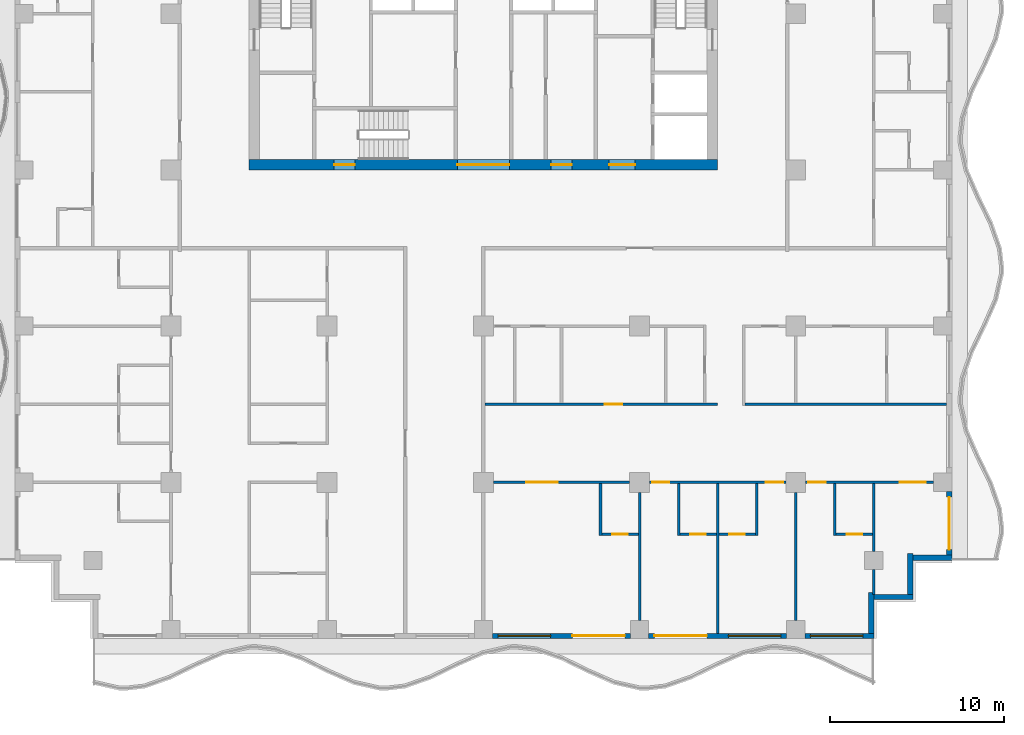
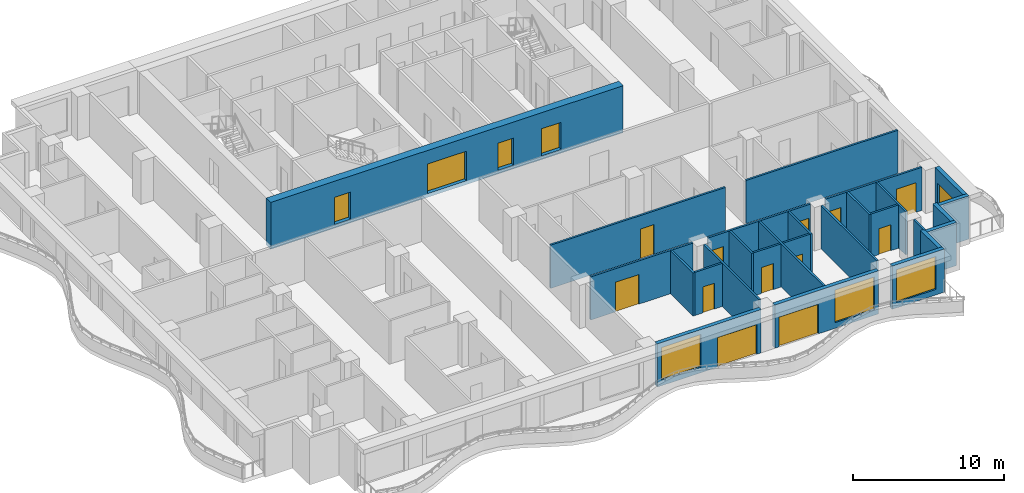
# One storey, part 3 of 11: 27 walls, 17 doors, 3 windows, 20 openings.
"""IFC4 building model written with IfcOpenShell, lengths in metres."""

from ifc_helpers import new_model, si_unit, direction, frame, frame_2d, origin, place, context, subcontext, project, spatial, rectangle, extrude, material, layer, layer_set, type_object, element, fill, save


model = new_model("IFC4")

# Units and contexts
model_context = context("Model", 3, precision=1e-05, world=origin(), true_north=direction((0.0, 1.0)))
body_context = subcontext(model_context, "Body", "Model", "MODEL_VIEW")
ifc_project = project(units=[si_unit("LENGTHUNIT", "METRE"), si_unit("AREAUNIT", "SQUARE_METRE"), si_unit("VOLUMEUNIT", "CUBIC_METRE"), si_unit("PLANEANGLEUNIT", "RADIAN"), si_unit("MASSUNIT", "GRAM", prefix="KILO")], contexts=[model_context])

# Site, building, storey
site_placement = place(None, origin())
site = spatial("IfcSite", under=ifc_project, at=site_placement, CompositionType="ELEMENT")
building_placement = place(site_placement, origin())
building = spatial("IfcBuilding", under=site, at=building_placement, Name="Orbiselva Terraces", CompositionType="ELEMENT")
storey_placement = place(building_placement, frame((0.0, 0.0, 184.4)))
storey = spatial("IfcBuildingStorey", under=building, at=storey_placement, Name="L46", CompositionType="ELEMENT", Elevation=184.4)

# Wall, openings, doors
ifc_material_1 = material(Name="Concrete C80/95", Category="concrete")
ifc_layer_1 = layer(ifc_material_1, 0.6)
ifc_layer_set_1 = layer_set([ifc_layer_1], Name="Concrete C80/95")
wall_type_1 = type_object("IfcWallType", Name="CORE WALL 600", PredefinedType="SHEAR", material=ifc_layer_set_1)
wall_1_placement = place(storey_placement, frame((-13.5, 4.8, -0.3), z_axis=(0.0, 0.0, 1.0), x_axis=(1.0, 0.0, 0.0)))
wall_1 = element("IfcWall", 1, at=wall_1_placement, inside=storey, type_object=wall_type_1, Name="Core wall L46 south", PredefinedType="SHEAR", context=body_context, shape_type="SweptSolid", body=[
    extrude(rectangle(XDim=27.0, YDim=0.6, at=frame_2d((13.5, 0.0))), origin(), (0.0, 0.0, 1.0), 3.8),
])
opening_1_placement = place(wall_1_placement, frame((12.0, 0.0, 0.3)))
opening_1 = element("IfcOpeningElement", 2, at=opening_1_placement, cuts=wall_1, Name="Opening DL3000", PredefinedType="OPENING", context=body_context, shape_type="SweptSolid", body=[
    extrude(rectangle(XDim=3.0, YDim=2.4, at=frame_2d((1.5, 1.2))), frame((0.0, 0.31, 0.0), z_axis=(0.0, -1.0, 0.0), x_axis=(1.0, 0.0, 0.0)), (0.0, 0.0, 1.0), 0.62),
])
opening_2_placement = place(wall_1_placement, frame((4.9, 0.0, 0.3)))
opening_2 = element("IfcOpeningElement", 3, at=opening_2_placement, cuts=wall_1, Name="Opening DS1200", PredefinedType="OPENING", context=body_context, shape_type="SweptSolid", body=[
    extrude(rectangle(XDim=1.2, YDim=2.2, at=frame_2d((0.6, 1.1))), frame((0.0, 0.31, 0.0), z_axis=(0.0, -1.0, 0.0), x_axis=(1.0, 0.0, 0.0)), (0.0, 0.0, 1.0), 0.62),
])
opening_3_placement = place(wall_1_placement, frame((20.75, 0.0, 0.3)))
opening_3 = element("IfcOpeningElement", 4, at=opening_3_placement, cuts=wall_1, Name="Opening DF1500", PredefinedType="OPENING", context=body_context, shape_type="SweptSolid", body=[
    extrude(rectangle(XDim=1.5, YDim=2.2, at=frame_2d((0.75, 1.1))), frame((0.0, 0.31, 0.0), z_axis=(0.0, -1.0, 0.0), x_axis=(1.0, 0.0, 0.0)), (0.0, 0.0, 1.0), 0.62),
])
opening_4_placement = place(wall_1_placement, frame((17.4, 0.0, 0.3)))
opening_4 = element("IfcOpeningElement", 5, at=opening_4_placement, cuts=wall_1, Name="Opening DV1200", PredefinedType="OPENING", context=body_context, shape_type="SweptSolid", body=[
    extrude(rectangle(XDim=1.2, YDim=2.2, at=frame_2d((0.6, 1.1))), frame((0.0, 0.31, 0.0), z_axis=(0.0, -1.0, 0.0), x_axis=(1.0, 0.0, 0.0)), (0.0, 0.0, 1.0), 0.62),
])
ifc_material_2 = material(Name="Steel fire door", Category="steel")
door_type_1 = type_object("IfcDoorType", Name="FFL DOOR 1500", OperationType="DOUBLE_DOOR_SINGLE_SWING", PredefinedType="DOOR", material=ifc_material_2)
door_1_placement = place(opening_3_placement, frame((1.5, 0.0, 0.0), z_axis=(0.0, 0.0, 1.0), x_axis=(-1.0, 0.0, 0.0)))
door_1 = element("IfcDoor", 6, at=door_1_placement, inside=storey, type_object=door_type_1, Name="L46 FIRE-FIGHTING LOBBY door", OperationType="DOUBLE_DOOR_SINGLE_SWING", OverallHeight=2.2, OverallWidth=1.5, PredefinedType="DOOR", context=body_context, shape_type="SweptSolid", body=[
    extrude(rectangle(XDim=1.5, YDim=2.2, at=frame_2d((0.75, 1.1))), frame((0.0, 0.025, 0.0), z_axis=(0.0, -1.0, 0.0), x_axis=(1.0, 0.0, 0.0)), (0.0, 0.0, 1.0), 0.05),
])
fill(opening_3, door_1)
door_type_2 = type_object("IfcDoorType", Name="LOBBY DOOR 3000", OperationType="DOUBLE_DOOR_SINGLE_SWING", PredefinedType="DOOR", material=ifc_material_2)
door_2_placement = place(opening_1_placement, frame((3.0, 0.0, 0.0), z_axis=(0.0, 0.0, 1.0), x_axis=(-1.0, 0.0, 0.0)))
door_2 = element("IfcDoor", 7, at=door_2_placement, inside=storey, type_object=door_type_2, Name="L46 LIFT LOBBY door", OperationType="DOUBLE_DOOR_SINGLE_SWING", OverallHeight=2.4, OverallWidth=3.0, PredefinedType="DOOR", context=body_context, shape_type="SweptSolid", body=[
    extrude(rectangle(XDim=3.0, YDim=2.4, at=frame_2d((1.5, 1.2))), frame((0.0, 0.025, 0.0), z_axis=(0.0, -1.0, 0.0), x_axis=(1.0, 0.0, 0.0)), (0.0, 0.0, 1.0), 0.05),
])
fill(opening_1, door_2)
door_type_3 = type_object("IfcDoorType", Name="SERVICE DOOR 1200", OperationType="NOTDEFINED", PredefinedType="DOOR", material=ifc_material_2)
door_3_placement = place(opening_4_placement, frame((1.2, 0.0, 0.0), z_axis=(0.0, 0.0, 1.0), x_axis=(-1.0, 0.0, 0.0)))
door_3 = element("IfcDoor", 8, at=door_3_placement, inside=storey, type_object=door_type_3, Name="L46 SERVICE ROOM door", OperationType="SINGLE_SWING_RIGHT", OverallHeight=2.2, OverallWidth=1.2, PredefinedType="DOOR", context=body_context, shape_type="SweptSolid", body=[
    extrude(rectangle(XDim=1.2, YDim=2.2, at=frame_2d((0.6, 1.1))), frame((0.0, 0.025, 0.0), z_axis=(0.0, -1.0, 0.0), x_axis=(1.0, 0.0, 0.0)), (0.0, 0.0, 1.0), 0.05),
])
fill(opening_4, door_3)
door_type_4 = type_object("IfcDoorType", Name="STAIR DOOR 1200", OperationType="NOTDEFINED", PredefinedType="DOOR", material=ifc_material_2)
door_4_placement = place(opening_2_placement, frame((1.2, 0.0, 0.0), z_axis=(0.0, 0.0, 1.0), x_axis=(-1.0, 0.0, 0.0)))
door_4 = element("IfcDoor", 9, at=door_4_placement, inside=storey, type_object=door_type_4, Name="L46 EXIT STAIR S3 door", OperationType="SINGLE_SWING_LEFT", OverallHeight=2.2, OverallWidth=1.2, PredefinedType="DOOR", context=body_context, shape_type="SweptSolid", body=[
    extrude(rectangle(XDim=1.2, YDim=2.2, at=frame_2d((0.6, 1.1))), frame((0.0, 0.025, 0.0), z_axis=(0.0, -1.0, 0.0), x_axis=(1.0, 0.0, 0.0)), (0.0, 0.0, 1.0), 0.05),
])
fill(opening_2, door_4)

# Wall, openings, door, window
ifc_material_3 = material(Name="Terracotta cladding on masonry backing", Category="masonry")
ifc_layer_2 = layer(ifc_material_3, 0.3)
ifc_layer_set_2 = layer_set([ifc_layer_2], Name="Terracotta cladding on masonry backing")
wall_type_2 = type_object("IfcWallType", Name="ENV-WALL-TERRACOTTA-300", PredefinedType="SOLIDWALL", material=ifc_layer_set_2)
wall_2_placement = place(storey_placement, frame((8.475, -22.35, 0.0), z_axis=(0.0, 0.0, 1.0), x_axis=(-1.0, 0.0, 0.0)))
wall_2 = element("IfcWall", 10, at=wall_2_placement, inside=storey, type_object=wall_type_2, Name="Facade wall L46 S", PredefinedType="SOLIDWALL", context=body_context, shape_type="SweptSolid", body=[
    extrude(rectangle(XDim=7.95, YDim=0.3, at=frame_2d((3.975, 0.0))), origin(), (0.0, 0.0, 1.0), 3.5),
])
opening_5_placement = place(wall_2_placement, frame((4.6, 0.0, 0.45)))
opening_5 = element("IfcOpeningElement", 11, at=opening_5_placement, cuts=wall_2, Name="Opening WN14", PredefinedType="OPENING", context=body_context, shape_type="SweptSolid", body=[
    extrude(rectangle(XDim=3.025, YDim=2.65, at=frame_2d((1.5125, 1.325))), frame((0.0, 0.16, 0.0), z_axis=(0.0, -1.0, 0.0), x_axis=(1.0, 0.0, 0.0)), (0.0, 0.0, 1.0), 0.32),
])
opening_6_placement = place(wall_2_placement, frame((0.325, 0.0, 0.0)))
opening_6 = element("IfcOpeningElement", 12, at=opening_6_placement, cuts=wall_2, Name="Opening Z4-A-E03", PredefinedType="OPENING", context=body_context, shape_type="SweptSolid", body=[
    extrude(rectangle(XDim=3.025, YDim=2.4, at=frame_2d((1.5125, 1.2))), frame((0.0, 0.16, 0.0), z_axis=(0.0, -1.0, 0.0), x_axis=(1.0, 0.0, 0.0)), (0.0, 0.0, 1.0), 0.32),
])
ifc_material_4 = material(Name="Clear low-e glazing in aluminium frame", Category="aluminium")
door_type_5 = type_object("IfcDoorType", Name="BALCONY DOOR 3025 X 2400", OperationType="DOUBLE_DOOR_SLIDING", PredefinedType="DOOR", material=ifc_material_4)
door_5_placement = place(opening_6_placement, origin())
door_5 = element("IfcDoor", 13, at=door_5_placement, inside=storey, type_object=door_type_5, Name="Z4-A-E03", OperationType="SINGLE_SWING_LEFT", OverallHeight=2.4, OverallWidth=3.025, PredefinedType="DOOR", context=body_context, shape_type="SweptSolid", body=[
    extrude(rectangle(XDim=3.025, YDim=2.4, at=frame_2d((1.5125, 1.2))), frame((0.0, 0.025, 0.0), z_axis=(0.0, -1.0, 0.0), x_axis=(1.0, 0.0, 0.0)), (0.0, 0.0, 1.0), 0.05),
])
fill(opening_6, door_5)
window_type = type_object("IfcWindowType", Name="WINDOW 3025 X 2650 S450", PartitioningType="TRIPLE_PANEL_VERTICAL", PredefinedType="WINDOW", material=ifc_material_4)
window_1_placement = place(opening_5_placement, origin())
window_1 = element("IfcWindow", 14, at=window_1_placement, inside=storey, type_object=window_type, Name="Window L46 S", OverallHeight=2.65, OverallWidth=3.025, PartitioningType="SINGLE_PANEL", PredefinedType="WINDOW", context=body_context, shape_type="SweptSolid", body=[
    extrude(rectangle(XDim=3.025, YDim=2.65, at=frame_2d((1.5125, 1.325))), frame((0.0, 0.03, 0.0), z_axis=(0.0, -1.0, 0.0), x_axis=(1.0, 0.0, 0.0)), (0.0, 0.0, 1.0), 0.06),
])
fill(opening_5, window_1)

wall_3_placement = place(storey_placement, frame((17.475, -22.35, 0.0), z_axis=(0.0, 0.0, 1.0), x_axis=(-1.0, 0.0, 0.0)))
wall_3 = element("IfcWall", 15, at=wall_3_placement, inside=storey, type_object=wall_type_2, Name="Facade wall L46 S", PredefinedType="SOLIDWALL", context=body_context, shape_type="SweptSolid", body=[
    extrude(rectangle(XDim=7.95, YDim=0.3, at=frame_2d((3.975, 0.0))), origin(), (0.0, 0.0, 1.0), 3.5),
])
opening_7_placement = place(wall_3_placement, frame((4.6, 0.0, 0.0)))
opening_7 = element("IfcOpeningElement", 16, at=opening_7_placement, cuts=wall_3, Name="Opening Z4-A-E04", PredefinedType="OPENING", context=body_context, shape_type="SweptSolid", body=[
    extrude(rectangle(XDim=3.025, YDim=2.4, at=frame_2d((1.5125, 1.2))), frame((0.0, 0.16, 0.0), z_axis=(0.0, -1.0, 0.0), x_axis=(1.0, 0.0, 0.0)), (0.0, 0.0, 1.0), 0.32),
])
opening_8_placement = place(wall_3_placement, frame((0.325, 0.0, 0.45)))
opening_8 = element("IfcOpeningElement", 17, at=opening_8_placement, cuts=wall_3, Name="Opening WN14", PredefinedType="OPENING", context=body_context, shape_type="SweptSolid", body=[
    extrude(rectangle(XDim=3.025, YDim=2.65, at=frame_2d((1.5125, 1.325))), frame((0.0, 0.16, 0.0), z_axis=(0.0, -1.0, 0.0), x_axis=(1.0, 0.0, 0.0)), (0.0, 0.0, 1.0), 0.32),
])
door_6_placement = place(opening_7_placement, origin())
door_6 = element("IfcDoor", 18, at=door_6_placement, inside=storey, type_object=door_type_5, Name="Z4-A-E04", OperationType="SINGLE_SWING_LEFT", OverallHeight=2.4, OverallWidth=3.025, PredefinedType="DOOR", context=body_context, shape_type="SweptSolid", body=[
    extrude(rectangle(XDim=3.025, YDim=2.4, at=frame_2d((1.5125, 1.2))), frame((0.0, 0.025, 0.0), z_axis=(0.0, -1.0, 0.0), x_axis=(1.0, 0.0, 0.0)), (0.0, 0.0, 1.0), 0.05),
])
fill(opening_7, door_6)
window_2_placement = place(opening_8_placement, origin())
window_2 = element("IfcWindow", 19, at=window_2_placement, inside=storey, type_object=window_type, Name="Window L46 S", OverallHeight=2.65, OverallWidth=3.025, PartitioningType="SINGLE_PANEL", PredefinedType="WINDOW", context=body_context, shape_type="SweptSolid", body=[
    extrude(rectangle(XDim=3.025, YDim=2.65, at=frame_2d((1.5125, 1.325))), frame((0.0, 0.03, 0.0), z_axis=(0.0, -1.0, 0.0), x_axis=(1.0, 0.0, 0.0)), (0.0, 0.0, 1.0), 0.06),
])
fill(opening_8, window_2)

# Wall, opening, window
wall_4_placement = place(storey_placement, frame((22.5, -22.35, 0.0), z_axis=(0.0, 0.0, 1.0), x_axis=(-1.0, 0.0, 0.0)))
wall_4 = element("IfcWall", 20, at=wall_4_placement, inside=storey, type_object=wall_type_2, Name="Facade wall L46 S", PredefinedType="SOLIDWALL", context=body_context, shape_type="SweptSolid", body=[
    extrude(rectangle(XDim=3.975, YDim=0.3, at=frame_2d((1.9875, 0.0))), origin(), (0.0, 0.0, 1.0), 3.5),
])
opening_9_placement = place(wall_4_placement, frame((0.625, 0.0, 0.45)))
opening_9 = element("IfcOpeningElement", 21, at=opening_9_placement, cuts=wall_4, Name="Opening WN14", PredefinedType="OPENING", context=body_context, shape_type="SweptSolid", body=[
    extrude(rectangle(XDim=3.025, YDim=2.65, at=frame_2d((1.5125, 1.325))), frame((0.0, 0.16, 0.0), z_axis=(0.0, -1.0, 0.0), x_axis=(1.0, 0.0, 0.0)), (0.0, 0.0, 1.0), 0.32),
])
window_3_placement = place(opening_9_placement, origin())
window_3 = element("IfcWindow", 22, at=window_3_placement, inside=storey, type_object=window_type, Name="Window L46 S", OverallHeight=2.65, OverallWidth=3.025, PartitioningType="SINGLE_PANEL", PredefinedType="WINDOW", context=body_context, shape_type="SweptSolid", body=[
    extrude(rectangle(XDim=3.025, YDim=2.65, at=frame_2d((1.5125, 1.325))), frame((0.0, 0.03, 0.0), z_axis=(0.0, -1.0, 0.0), x_axis=(1.0, 0.0, 0.0)), (0.0, 0.0, 1.0), 0.06),
])
fill(opening_9, window_3)

# Walls
wall_5_placement = place(storey_placement, frame((22.35, -19.85, 0.0), z_axis=(0.0, 0.0, 1.0), x_axis=(0.0, -1.0, 0.0)))
element("IfcWall", 23, at=wall_5_placement, inside=storey, type_object=wall_type_2, Name="Facade wall L46 STEP", PredefinedType="SOLIDWALL", context=body_context, shape_type="SweptSolid", body=[
    extrude(rectangle(XDim=2.35, YDim=0.3, at=frame_2d((1.175, 0.0))), origin(), (0.0, 0.0, 1.0), 3.5),
])
wall_6_placement = place(storey_placement, frame((24.75, -20.1, 0.0), z_axis=(0.0, 0.0, 1.0), x_axis=(-1.0, 0.0, 0.0)))
element("IfcWall", 24, at=wall_6_placement, inside=storey, type_object=wall_type_2, Name="Facade wall L46 STEP", PredefinedType="SOLIDWALL", context=body_context, shape_type="SweptSolid", body=[
    extrude(rectangle(XDim=2.25, YDim=0.3, at=frame_2d((1.125, 0.0))), origin(), (0.0, 0.0, 1.0), 3.5),
])
wall_7_placement = place(storey_placement, frame((24.6, -17.6, 0.0), z_axis=(0.0, 0.0, 1.0), x_axis=(0.0, -1.0, 0.0)))
element("IfcWall", 25, at=wall_7_placement, inside=storey, type_object=wall_type_2, Name="Facade wall L46 STEP", PredefinedType="SOLIDWALL", context=body_context, shape_type="SweptSolid", body=[
    extrude(rectangle(XDim=2.35, YDim=0.3, at=frame_2d((1.175, 0.0))), origin(), (0.0, 0.0, 1.0), 3.5),
])
wall_8_placement = place(storey_placement, frame((27.0, -17.85, 0.0), z_axis=(0.0, 0.0, 1.0), x_axis=(-1.0, 0.0, 0.0)))
element("IfcWall", 26, at=wall_8_placement, inside=storey, type_object=wall_type_2, Name="Facade wall L46 STEP", PredefinedType="SOLIDWALL", context=body_context, shape_type="SweptSolid", body=[
    extrude(rectangle(XDim=2.25, YDim=0.3, at=frame_2d((1.125, 0.0))), origin(), (0.0, 0.0, 1.0), 3.5),
])

# Wall, opening, door
wall_9_placement = place(storey_placement, frame((26.85, -14.025, 0.0), z_axis=(0.0, 0.0, 1.0), x_axis=(0.0, -1.0, 0.0)))
wall_9 = element("IfcWall", 27, at=wall_9_placement, inside=storey, type_object=wall_type_2, Name="Facade wall L46 E", PredefinedType="SOLIDWALL", context=body_context, shape_type="SweptSolid", body=[
    extrude(rectangle(XDim=3.675, YDim=0.3, at=frame_2d((1.8375, 0.0))), origin(), (0.0, 0.0, 1.0), 3.5),
])
opening_10_placement = place(wall_9_placement, frame((0.325, 0.0, 0.0)))
opening_10 = element("IfcOpeningElement", 28, at=opening_10_placement, cuts=wall_9, Name="Opening Z4-A-E05", PredefinedType="OPENING", context=body_context, shape_type="SweptSolid", body=[
    extrude(rectangle(XDim=3.025, YDim=2.4, at=frame_2d((1.5125, 1.2))), frame((0.0, 0.16, 0.0), z_axis=(0.0, -1.0, 0.0), x_axis=(1.0, 0.0, 0.0)), (0.0, 0.0, 1.0), 0.32),
])
door_7_placement = place(opening_10_placement, origin())
door_7 = element("IfcDoor", 29, at=door_7_placement, inside=storey, type_object=door_type_5, Name="Z4-A-E05", OperationType="SINGLE_SWING_LEFT", OverallHeight=2.4, OverallWidth=3.025, PredefinedType="DOOR", context=body_context, shape_type="SweptSolid", body=[
    extrude(rectangle(XDim=3.025, YDim=2.4, at=frame_2d((1.5125, 1.2))), frame((0.0, 0.025, 0.0), z_axis=(0.0, -1.0, 0.0), x_axis=(1.0, 0.0, 0.0)), (0.0, 0.0, 1.0), 0.05),
])
fill(opening_10, door_7)

ifc_material_5 = material(Name="Plasterboard on steel stud partition", Category="steel")
ifc_layer_3 = layer(ifc_material_5, 0.15)
ifc_layer_set_3 = layer_set([ifc_layer_3], Name="Plasterboard on steel stud partition")
wall_type_3 = type_object("IfcWallType", Name="UNIT-PARTITION-150", PredefinedType="PARTITIONING", material=ifc_layer_set_3)
wall_10_placement = place(storey_placement, frame((6.825, -16.5, 0.0), z_axis=(0.0, 0.0, 1.0), x_axis=(1.0, 0.0, 0.0)))
wall_10 = element("IfcWall", 30, at=wall_10_placement, inside=storey, type_object=wall_type_3, Name="PARTITION L46-002", PredefinedType="PARTITIONING", context=body_context, shape_type="SweptSolid", body=[
    extrude(rectangle(XDim=2.1, YDim=0.15, at=frame_2d((1.05, 0.0))), origin(), (0.0, 0.0, 1.0), 3.5),
])
opening_11_placement = place(wall_10_placement, frame((0.6, 0.0, 0.0)))
opening_11 = element("IfcOpeningElement", 31, at=opening_11_placement, cuts=wall_10, Name="Opening Z4-A-37", PredefinedType="OPENING", context=body_context, shape_type="SweptSolid", body=[
    extrude(rectangle(XDim=0.9, YDim=2.1, at=frame_2d((0.45, 1.05))), frame((0.0, 0.085, 0.0), z_axis=(0.0, -1.0, 0.0), x_axis=(1.0, 0.0, 0.0)), (0.0, 0.0, 1.0), 0.17),
])
ifc_material_6 = material(Name="Painted timber door leaf", Category="wood")
door_type_6 = type_object("IfcDoorType", Name="BATH DOOR 900", OperationType="NOTDEFINED", PredefinedType="DOOR", material=ifc_material_6)
door_8_placement = place(opening_11_placement, origin())
door_8 = element("IfcDoor", 32, at=door_8_placement, inside=storey, type_object=door_type_6, Name="Z4-A-37", OperationType="SINGLE_SWING_LEFT", OverallHeight=2.1, OverallWidth=0.9, PredefinedType="DOOR", context=body_context, shape_type="SweptSolid", body=[
    extrude(rectangle(XDim=0.9, YDim=2.1, at=frame_2d((0.45, 1.05))), frame((0.0, 0.025, 0.0), z_axis=(0.0, -1.0, 0.0), x_axis=(1.0, 0.0, 0.0)), (0.0, 0.0, 1.0), 0.05),
])
fill(opening_11, door_8)

wall_11_placement = place(storey_placement, frame((11.325, -16.5, 0.0), z_axis=(0.0, 0.0, 1.0), x_axis=(1.0, 0.0, 0.0)))
wall_11 = element("IfcWall", 33, at=wall_11_placement, inside=storey, type_object=wall_type_3, Name="PARTITION L46-003", PredefinedType="PARTITIONING", context=body_context, shape_type="SweptSolid", body=[
    extrude(rectangle(XDim=2.1, YDim=0.15, at=frame_2d((1.05, 0.0))), origin(), (0.0, 0.0, 1.0), 3.5),
])
opening_12_placement = place(wall_11_placement, frame((0.6, 0.0, 0.0)))
opening_12 = element("IfcOpeningElement", 34, at=opening_12_placement, cuts=wall_11, Name="Opening Z4-A-39", PredefinedType="OPENING", context=body_context, shape_type="SweptSolid", body=[
    extrude(rectangle(XDim=0.9, YDim=2.1, at=frame_2d((0.45, 1.05))), frame((0.0, 0.085, 0.0), z_axis=(0.0, -1.0, 0.0), x_axis=(1.0, 0.0, 0.0)), (0.0, 0.0, 1.0), 0.17),
])
door_9_placement = place(opening_12_placement, origin())
door_9 = element("IfcDoor", 35, at=door_9_placement, inside=storey, type_object=door_type_6, Name="Z4-A-39", OperationType="SINGLE_SWING_LEFT", OverallHeight=2.1, OverallWidth=0.9, PredefinedType="DOOR", context=body_context, shape_type="SweptSolid", body=[
    extrude(rectangle(XDim=0.9, YDim=2.1, at=frame_2d((0.45, 1.05))), frame((0.0, 0.025, 0.0), z_axis=(0.0, -1.0, 0.0), x_axis=(1.0, 0.0, 0.0)), (0.0, 0.0, 1.0), 0.05),
])
fill(opening_12, door_9)

wall_12_placement = place(storey_placement, frame((13.575, -16.5, 0.0), z_axis=(0.0, 0.0, 1.0), x_axis=(1.0, 0.0, 0.0)))
wall_12 = element("IfcWall", 36, at=wall_12_placement, inside=storey, type_object=wall_type_3, Name="PARTITION L46-004", PredefinedType="PARTITIONING", context=body_context, shape_type="SweptSolid", body=[
    extrude(rectangle(XDim=2.1, YDim=0.15, at=frame_2d((1.05, 0.0))), origin(), (0.0, 0.0, 1.0), 3.5),
])
opening_13_placement = place(wall_12_placement, frame((0.6, 0.0, 0.0)))
opening_13 = element("IfcOpeningElement", 37, at=opening_13_placement, cuts=wall_12, Name="Opening Z4-A-41", PredefinedType="OPENING", context=body_context, shape_type="SweptSolid", body=[
    extrude(rectangle(XDim=0.9, YDim=2.1, at=frame_2d((0.45, 1.05))), frame((0.0, 0.085, 0.0), z_axis=(0.0, -1.0, 0.0), x_axis=(1.0, 0.0, 0.0)), (0.0, 0.0, 1.0), 0.17),
])
door_10_placement = place(opening_13_placement, origin())
door_10 = element("IfcDoor", 38, at=door_10_placement, inside=storey, type_object=door_type_6, Name="Z4-A-41", OperationType="SINGLE_SWING_LEFT", OverallHeight=2.1, OverallWidth=0.9, PredefinedType="DOOR", context=body_context, shape_type="SweptSolid", body=[
    extrude(rectangle(XDim=0.9, YDim=2.1, at=frame_2d((0.45, 1.05))), frame((0.0, 0.025, 0.0), z_axis=(0.0, -1.0, 0.0), x_axis=(1.0, 0.0, 0.0)), (0.0, 0.0, 1.0), 0.05),
])
fill(opening_13, door_10)

wall_13_placement = place(storey_placement, frame((20.325, -16.5, 0.0), z_axis=(0.0, 0.0, 1.0), x_axis=(1.0, 0.0, 0.0)))
wall_13 = element("IfcWall", 39, at=wall_13_placement, inside=storey, type_object=wall_type_3, Name="PARTITION L46-005", PredefinedType="PARTITIONING", context=body_context, shape_type="SweptSolid", body=[
    extrude(rectangle(XDim=2.1, YDim=0.15, at=frame_2d((1.05, 0.0))), origin(), (0.0, 0.0, 1.0), 3.5),
])
opening_14_placement = place(wall_13_placement, frame((0.6, 0.0, 0.0)))
opening_14 = element("IfcOpeningElement", 40, at=opening_14_placement, cuts=wall_13, Name="Opening Z4-A-43", PredefinedType="OPENING", context=body_context, shape_type="SweptSolid", body=[
    extrude(rectangle(XDim=0.9, YDim=2.1, at=frame_2d((0.45, 1.05))), frame((0.0, 0.085, 0.0), z_axis=(0.0, -1.0, 0.0), x_axis=(1.0, 0.0, 0.0)), (0.0, 0.0, 1.0), 0.17),
])
door_11_placement = place(opening_14_placement, origin())
door_11 = element("IfcDoor", 41, at=door_11_placement, inside=storey, type_object=door_type_6, Name="Z4-A-43", OperationType="SINGLE_SWING_LEFT", OverallHeight=2.1, OverallWidth=0.9, PredefinedType="DOOR", context=body_context, shape_type="SweptSolid", body=[
    extrude(rectangle(XDim=0.9, YDim=2.1, at=frame_2d((0.45, 1.05))), frame((0.0, 0.025, 0.0), z_axis=(0.0, -1.0, 0.0), x_axis=(1.0, 0.0, 0.0)), (0.0, 0.0, 1.0), 0.05),
])
fill(opening_14, door_11)

wall_14_placement = place(storey_placement, frame((8.425, -13.5, 0.0), z_axis=(0.0, 0.0, 1.0), x_axis=(-1.0, 0.0, 0.0)))
wall_14 = element("IfcWall", 42, at=wall_14_placement, inside=storey, type_object=wall_type_3, Name="PARTITION L46-009", PredefinedType="PARTITIONING", context=body_context, shape_type="SweptSolid", body=[
    extrude(rectangle(XDim=7.85, YDim=0.15, at=frame_2d((3.925, 0.0))), origin(), (0.0, 0.0, 1.0), 3.5),
])
opening_15_placement = place(wall_14_placement, frame((4.15, 0.0, 0.0)))
opening_15 = element("IfcOpeningElement", 43, at=opening_15_placement, cuts=wall_14, Name="Opening Z4-A-36", PredefinedType="OPENING", context=body_context, shape_type="SweptSolid", body=[
    extrude(rectangle(XDim=1.8, YDim=2.4, at=frame_2d((0.9, 1.2))), frame((0.0, 0.085, 0.0), z_axis=(0.0, -1.0, 0.0), x_axis=(1.0, 0.0, 0.0)), (0.0, 0.0, 1.0), 0.17),
])
door_type_7 = type_object("IfcDoorType", Name="DOUBLE DOOR 1800", OperationType="NOTDEFINED", PredefinedType="DOOR", material=ifc_material_6)
door_12_placement = place(opening_15_placement, origin())
door_12 = element("IfcDoor", 44, at=door_12_placement, inside=storey, type_object=door_type_7, Name="Z4-A-36", OperationType="DOUBLE_DOOR_SINGLE_SWING", OverallHeight=2.4, OverallWidth=1.8, PredefinedType="DOOR", context=body_context, shape_type="SweptSolid", body=[
    extrude(rectangle(XDim=1.8, YDim=2.4, at=frame_2d((0.9, 1.2))), frame((0.0, 0.025, 0.0), z_axis=(0.0, -1.0, 0.0), x_axis=(1.0, 0.0, 0.0)), (0.0, 0.0, 1.0), 0.05),
])
fill(opening_15, door_12)

# Wall, openings, doors
wall_15_placement = place(storey_placement, frame((17.425, -13.5, 0.0), z_axis=(0.0, 0.0, 1.0), x_axis=(-1.0, 0.0, 0.0)))
wall_15 = element("IfcWall", 45, at=wall_15_placement, inside=storey, type_object=wall_type_3, Name="PARTITION L46-010", PredefinedType="PARTITIONING", context=body_context, shape_type="SweptSolid", body=[
    extrude(rectangle(XDim=7.85, YDim=0.15, at=frame_2d((3.925, 0.0))), origin(), (0.0, 0.0, 1.0), 3.5),
])
opening_16_placement = place(wall_15_placement, frame((6.7, 0.0, 0.0)))
opening_16 = element("IfcOpeningElement", 46, at=opening_16_placement, cuts=wall_15, Name="Opening Z4-A-38", PredefinedType="OPENING", context=body_context, shape_type="SweptSolid", body=[
    extrude(rectangle(XDim=1.0, YDim=2.4, at=frame_2d((0.5, 1.2))), frame((0.0, 0.085, 0.0), z_axis=(0.0, -1.0, 0.0), x_axis=(1.0, 0.0, 0.0)), (0.0, 0.0, 1.0), 0.17),
])
opening_17_placement = place(wall_15_placement, frame((0.15, 0.0, 0.0)))
opening_17 = element("IfcOpeningElement", 47, at=opening_17_placement, cuts=wall_15, Name="Opening Z4-A-40", PredefinedType="OPENING", context=body_context, shape_type="SweptSolid", body=[
    extrude(rectangle(XDim=1.0, YDim=2.4, at=frame_2d((0.5, 1.2))), frame((0.0, 0.085, 0.0), z_axis=(0.0, -1.0, 0.0), x_axis=(1.0, 0.0, 0.0)), (0.0, 0.0, 1.0), 0.17),
])
door_type_8 = type_object("IfcDoorType", Name="ROOM DOOR 1000", OperationType="NOTDEFINED", PredefinedType="DOOR", material=ifc_material_6)
door_13_placement = place(opening_16_placement, origin())
door_13 = element("IfcDoor", 48, at=door_13_placement, inside=storey, type_object=door_type_8, Name="Z4-A-38", OperationType="SINGLE_SWING_RIGHT", OverallHeight=2.4, OverallWidth=1.0, PredefinedType="DOOR", context=body_context, shape_type="SweptSolid", body=[
    extrude(rectangle(XDim=1.0, YDim=2.4, at=frame_2d((0.5, 1.2))), frame((0.0, 0.025, 0.0), z_axis=(0.0, -1.0, 0.0), x_axis=(1.0, 0.0, 0.0)), (0.0, 0.0, 1.0), 0.05),
])
fill(opening_16, door_13)
door_14_placement = place(opening_17_placement, origin())
door_14 = element("IfcDoor", 49, at=door_14_placement, inside=storey, type_object=door_type_8, Name="Z4-A-40", OperationType="SINGLE_SWING_LEFT", OverallHeight=2.4, OverallWidth=1.0, PredefinedType="DOOR", context=body_context, shape_type="SweptSolid", body=[
    extrude(rectangle(XDim=1.0, YDim=2.4, at=frame_2d((0.5, 1.2))), frame((0.0, 0.025, 0.0), z_axis=(0.0, -1.0, 0.0), x_axis=(1.0, 0.0, 0.0)), (0.0, 0.0, 1.0), 0.05),
])
fill(opening_17, door_14)

wall_16_placement = place(storey_placement, frame((25.95, -13.5, 0.0), z_axis=(0.0, 0.0, 1.0), x_axis=(-1.0, 0.0, 0.0)))
wall_16 = element("IfcWall", 50, at=wall_16_placement, inside=storey, type_object=wall_type_3, Name="PARTITION L46-011", PredefinedType="PARTITIONING", context=body_context, shape_type="SweptSolid", body=[
    extrude(rectangle(XDim=7.375, YDim=0.15, at=frame_2d((3.6875, 0.0))), origin(), (0.0, 0.0, 1.0), 3.5),
])
opening_18_placement = place(wall_16_placement, frame((6.225, 0.0, 0.0)))
opening_18 = element("IfcOpeningElement", 51, at=opening_18_placement, cuts=wall_16, Name="Opening Z4-A-42", PredefinedType="OPENING", context=body_context, shape_type="SweptSolid", body=[
    extrude(rectangle(XDim=1.0, YDim=2.4, at=frame_2d((0.5, 1.2))), frame((0.0, 0.085, 0.0), z_axis=(0.0, -1.0, 0.0), x_axis=(1.0, 0.0, 0.0)), (0.0, 0.0, 1.0), 0.17),
])
opening_19_placement = place(wall_16_placement, frame((0.45, 0.0, 0.0)))
opening_19 = element("IfcOpeningElement", 52, at=opening_19_placement, cuts=wall_16, Name="Opening Z4-A-44", PredefinedType="OPENING", context=body_context, shape_type="SweptSolid", body=[
    extrude(rectangle(XDim=1.5, YDim=2.4, at=frame_2d((0.75, 1.2))), frame((0.0, 0.085, 0.0), z_axis=(0.0, -1.0, 0.0), x_axis=(1.0, 0.0, 0.0)), (0.0, 0.0, 1.0), 0.17),
])
door_type_9 = type_object("IfcDoorType", Name="DOUBLE DOOR 1500", OperationType="NOTDEFINED", PredefinedType="DOOR", material=ifc_material_6)
door_15_placement = place(opening_19_placement, origin())
door_15 = element("IfcDoor", 53, at=door_15_placement, inside=storey, type_object=door_type_9, Name="Z4-A-44", OperationType="DOUBLE_DOOR_SINGLE_SWING", OverallHeight=2.4, OverallWidth=1.5, PredefinedType="DOOR", context=body_context, shape_type="SweptSolid", body=[
    extrude(rectangle(XDim=1.5, YDim=2.4, at=frame_2d((0.75, 1.2))), frame((0.0, 0.025, 0.0), z_axis=(0.0, -1.0, 0.0), x_axis=(1.0, 0.0, 0.0)), (0.0, 0.0, 1.0), 0.05),
])
fill(opening_19, door_15)
door_16_placement = place(opening_18_placement, origin())
door_16 = element("IfcDoor", 54, at=door_16_placement, inside=storey, type_object=door_type_8, Name="Z4-A-42", OperationType="SINGLE_SWING_RIGHT", OverallHeight=2.4, OverallWidth=1.0, PredefinedType="DOOR", context=body_context, shape_type="SweptSolid", body=[
    extrude(rectangle(XDim=1.0, YDim=2.4, at=frame_2d((0.5, 1.2))), frame((0.0, 0.025, 0.0), z_axis=(0.0, -1.0, 0.0), x_axis=(1.0, 0.0, 0.0)), (0.0, 0.0, 1.0), 0.05),
])
fill(opening_18, door_16)

# Wall, opening, door
wall_17_placement = place(storey_placement, frame((0.1, -9.0, 0.0), z_axis=(0.0, 0.0, 1.0), x_axis=(1.0, 0.0, 0.0)))
wall_17 = element("IfcWall", 55, at=wall_17_placement, inside=storey, type_object=wall_type_3, Name="PARTITION L46-017", PredefinedType="PARTITIONING", context=body_context, shape_type="SweptSolid", body=[
    extrude(rectangle(XDim=13.4, YDim=0.15, at=frame_2d((6.7, 0.0))), origin(), (0.0, 0.0, 1.0), 3.5),
])
opening_20_placement = place(wall_17_placement, frame((6.9, 0.0, 0.0)))
opening_20 = element("IfcOpeningElement", 56, at=opening_20_placement, cuts=wall_17, Name="Opening Z4-A-31", PredefinedType="OPENING", context=body_context, shape_type="SweptSolid", body=[
    extrude(rectangle(XDim=1.0, YDim=2.4, at=frame_2d((0.5, 1.2))), frame((0.0, 0.085, 0.0), z_axis=(0.0, -1.0, 0.0), x_axis=(1.0, 0.0, 0.0)), (0.0, 0.0, 1.0), 0.17),
])
door_17_placement = place(opening_20_placement, origin())
door_17 = element("IfcDoor", 57, at=door_17_placement, inside=storey, type_object=door_type_8, Name="Z4-A-31", OperationType="SINGLE_SWING_RIGHT", OverallHeight=2.4, OverallWidth=1.0, PredefinedType="DOOR", context=body_context, shape_type="SweptSolid", body=[
    extrude(rectangle(XDim=1.0, YDim=2.4, at=frame_2d((0.5, 1.2))), frame((0.0, 0.025, 0.0), z_axis=(0.0, -1.0, 0.0), x_axis=(1.0, 0.0, 0.0)), (0.0, 0.0, 1.0), 0.05),
])
fill(opening_20, door_17)

# Walls
wall_18_placement = place(storey_placement, frame((15.075, -9.0, 0.0), z_axis=(0.0, 0.0, 1.0), x_axis=(1.0, 0.0, 0.0)))
element("IfcWall", 58, at=wall_18_placement, inside=storey, type_object=wall_type_3, Name="PARTITION L46-018", PredefinedType="PARTITIONING", context=body_context, shape_type="SweptSolid", body=[
    extrude(rectangle(XDim=11.625, YDim=0.15, at=frame_2d((5.8125, 0.0))), origin(), (0.0, 0.0, 1.0), 3.5),
])
wall_19_placement = place(storey_placement, frame((6.75, -16.575, 0.0), z_axis=(0.0, 0.0, 1.0), x_axis=(0.0, 1.0, 0.0)))
element("IfcWall", 59, at=wall_19_placement, inside=storey, type_object=wall_type_3, Name="PARTITION L46-064", PredefinedType="PARTITIONING", context=body_context, shape_type="SweptSolid", body=[
    extrude(rectangle(XDim=3.0, YDim=0.15, at=frame_2d((1.5, 0.0))), origin(), (0.0, 0.0, 1.0), 3.5),
])
wall_20_placement = place(storey_placement, frame((9.0, -21.45, 0.0), z_axis=(0.0, 0.0, 1.0), x_axis=(0.0, 1.0, 0.0)))
element("IfcWall", 60, at=wall_20_placement, inside=storey, type_object=wall_type_3, Name="PARTITION L46-065", PredefinedType="PARTITIONING", context=body_context, shape_type="SweptSolid", body=[
    extrude(rectangle(XDim=7.375, YDim=0.15, at=frame_2d((3.6875, 0.0))), origin(), (0.0, 0.0, 1.0), 3.5),
])
wall_21_placement = place(storey_placement, frame((11.25, -16.575, 0.0), z_axis=(0.0, 0.0, 1.0), x_axis=(0.0, 1.0, 0.0)))
element("IfcWall", 61, at=wall_21_placement, inside=storey, type_object=wall_type_3, Name="PARTITION L46-067", PredefinedType="PARTITIONING", context=body_context, shape_type="SweptSolid", body=[
    extrude(rectangle(XDim=3.0, YDim=0.15, at=frame_2d((1.5, 0.0))), origin(), (0.0, 0.0, 1.0), 3.5),
])
wall_22_placement = place(storey_placement, frame((13.5, -22.2, 0.0), z_axis=(0.0, 0.0, 1.0), x_axis=(0.0, 1.0, 0.0)))
element("IfcWall", 62, at=wall_22_placement, inside=storey, type_object=wall_type_3, Name="PARTITION L46-069", PredefinedType="PARTITIONING", context=body_context, shape_type="SweptSolid", body=[
    extrude(rectangle(XDim=8.625, YDim=0.15, at=frame_2d((4.3125, 0.0))), origin(), (0.0, 0.0, 1.0), 3.5),
])
wall_23_placement = place(storey_placement, frame((15.75, -16.575, 0.0), z_axis=(0.0, 0.0, 1.0), x_axis=(0.0, 1.0, 0.0)))
element("IfcWall", 63, at=wall_23_placement, inside=storey, type_object=wall_type_3, Name="PARTITION L46-071", PredefinedType="PARTITIONING", context=body_context, shape_type="SweptSolid", body=[
    extrude(rectangle(XDim=3.0, YDim=0.15, at=frame_2d((1.5, 0.0))), origin(), (0.0, 0.0, 1.0), 3.5),
])
wall_24_placement = place(storey_placement, frame((18.0, -21.45, 0.0), z_axis=(0.0, 0.0, 1.0), x_axis=(0.0, 1.0, 0.0)))
element("IfcWall", 64, at=wall_24_placement, inside=storey, type_object=wall_type_3, Name="PARTITION L46-076", PredefinedType="PARTITIONING", context=body_context, shape_type="SweptSolid", body=[
    extrude(rectangle(XDim=7.375, YDim=0.15, at=frame_2d((3.6875, 0.0))), origin(), (0.0, 0.0, 1.0), 3.5),
])
wall_25_placement = place(storey_placement, frame((20.25, -16.575, 0.0), z_axis=(0.0, 0.0, 1.0), x_axis=(0.0, 1.0, 0.0)))
element("IfcWall", 65, at=wall_25_placement, inside=storey, type_object=wall_type_3, Name="PARTITION L46-078", PredefinedType="PARTITIONING", context=body_context, shape_type="SweptSolid", body=[
    extrude(rectangle(XDim=3.0, YDim=0.15, at=frame_2d((1.5, 0.0))), origin(), (0.0, 0.0, 1.0), 3.5),
])
wall_26_placement = place(storey_placement, frame((22.5, -19.95, 0.0), z_axis=(0.0, 0.0, 1.0), x_axis=(0.0, 1.0, 0.0)))
element("IfcWall", 66, at=wall_26_placement, inside=storey, type_object=wall_type_3, Name="PARTITION L46-079", PredefinedType="PARTITIONING", context=body_context, shape_type="SweptSolid", body=[
    extrude(rectangle(XDim=1.425, YDim=0.15, at=frame_2d((0.7125, 0.0))), origin(), (0.0, 0.0, 1.0), 3.5),
])
wall_27_placement = place(storey_placement, frame((22.5, -17.475, 0.0), z_axis=(0.0, 0.0, 1.0), x_axis=(0.0, 1.0, 0.0)))
element("IfcWall", 67, at=wall_27_placement, inside=storey, type_object=wall_type_3, Name="PARTITION L46-080", PredefinedType="PARTITIONING", context=body_context, shape_type="SweptSolid", body=[
    extrude(rectangle(XDim=3.9, YDim=0.15, at=frame_2d((1.95, 0.0))), origin(), (0.0, 0.0, 1.0), 3.5),
])

save(model, "model.ifc")
